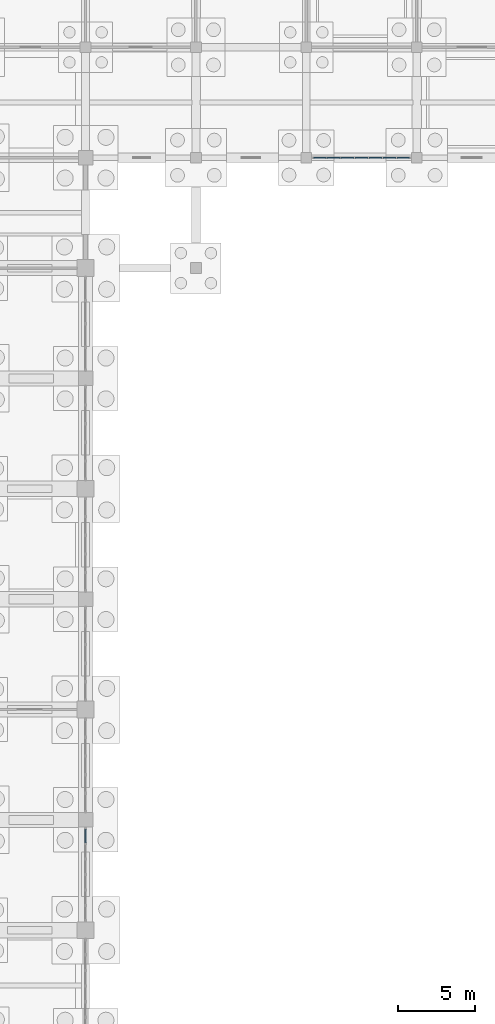
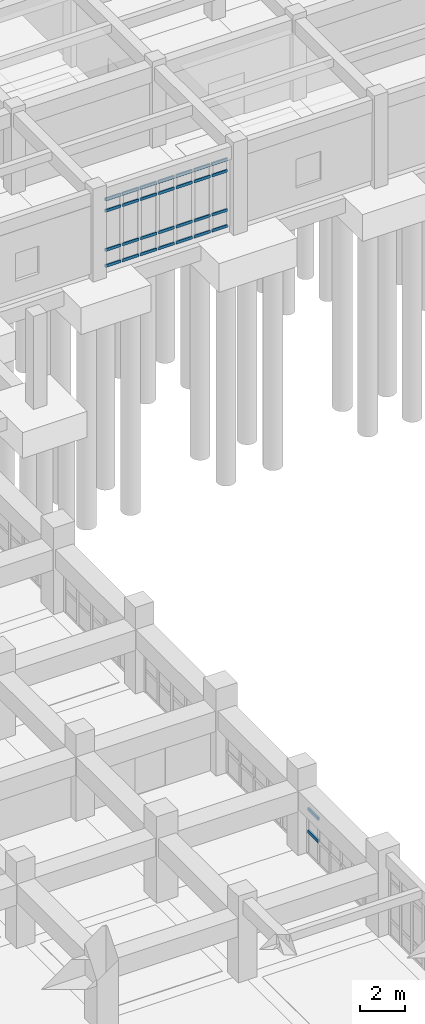
# One storey, part 42 of 79: 30 members, 2 elements without a shape of their own.
"""IFC4 building model written with IfcOpenShell, lengths in metres."""

from ifc_helpers import new_model, si_unit, direction, frame, origin, origin_2d, place, context, subcontext, project, spatial, rectangle, extrude, material, layer, layer_set, material_profile, profile_set, type_object, element, aggregate, save


model = new_model("IFC4")

# Units and contexts
model_context = context("Model", 3, precision=1e-05, world=origin(), true_north=direction((0.0, 1.0)))
body_context = subcontext(model_context, "Body", "Model", "MODEL_VIEW")
ifc_project = project(units=[si_unit("LENGTHUNIT", "METRE"), si_unit("AREAUNIT", "SQUARE_METRE"), si_unit("VOLUMEUNIT", "CUBIC_METRE"), si_unit("PLANEANGLEUNIT", "RADIAN"), si_unit("MASSUNIT", "GRAM", prefix="KILO")], contexts=[model_context])

# Site, building, storey
site_placement = place(None, origin())
site = spatial("IfcSite", under=ifc_project, at=site_placement, CompositionType="ELEMENT")
building_placement = place(site_placement, origin())
building = spatial("IfcBuilding", under=site, at=building_placement, Name="Kavelor Marine Aquarium", CompositionType="ELEMENT")
storey_placement = place(building_placement, origin())
storey = spatial("IfcBuildingStorey", under=building, at=storey_placement, Name="L00", CompositionType="ELEMENT", Elevation=0.0)

# Curtain wall, members
ifc_material_1 = material(Name="Thermally Broken Aluminium and Low-E Glass", Category="aluminium")
ifc_layer_1 = layer(ifc_material_1, 0.14794921875)
ifc_layer_set_1 = layer_set([ifc_layer_1], Name="CW-SYS1")
curtain_wall_type_1 = type_object("IfcCurtainWallType", Name="CW-SYS1", PredefinedType="USERDEFINED", material=ifc_layer_set_1)
curtain_wall_1_placement = place(storey_placement, origin())
curtain_wall_1 = element("IfcCurtainWall", 1, at=curtain_wall_1_placement, inside=storey, type_object=curtain_wall_type_1, Name="cw:x:L00:07_12", ObjectType="Curtain Wall", PredefinedType="USERDEFINED")
ifc_material_2 = material(Name="Anodised Aluminium Alloy 6063-T6", Category="aluminium")
ifc_material_profile_1 = material_profile(ifc_material_2, rectangle(XDim=0.074951171875, YDim=0.14990234375, at=origin_2d()), Name="CW-TRN 75x150")
ifc_profile_set_1 = profile_set([ifc_material_profile_1], Name="Anodised Aluminium Alloy 6063-T6")
member_type_1 = type_object("IfcMemberType", Name="CWT-1", PredefinedType="USERDEFINED", material=ifc_profile_set_1)
member_1_placement = place(storey_placement, frame((60.330078125, 89.199951171875, 0.03759765625), z_axis=(-1.0, 0.0, 0.0), x_axis=(0.0, -1.0, 0.0)))
member_1 = element("IfcMember", 2, at=member_1_placement, type_object=member_type_1, Name="CW01 transom 1.1", ObjectType="TRANSOM", PredefinedType="USERDEFINED", context=body_context, shape_type="SweptSolid", body=[
    extrude(rectangle(XDim=0.074951171875, YDim=0.14990234375, at=origin_2d()), origin(), (0.0, 0.0, 1.0), 0.80322265625),
])
member_2_placement = place(storey_placement, frame((60.330078125, 89.199951171875, 0.89990234375), z_axis=(-1.0, 0.0, 0.0), x_axis=(0.0, -1.0, 0.0)))
member_2 = element("IfcMember", 3, at=member_2_placement, type_object=member_type_1, Name="CW01 transom 1.2", ObjectType="TRANSOM", PredefinedType="USERDEFINED", context=body_context, shape_type="SweptSolid", body=[
    extrude(rectangle(XDim=0.074951171875, YDim=0.14990234375, at=origin_2d()), origin(), (0.0, 0.0, 1.0), 0.80322265625),
])
member_3_placement = place(storey_placement, frame((60.330078125, 89.199951171875, 3.02001953125), z_axis=(-1.0, 0.0, 0.0), x_axis=(0.0, -1.0, 0.0)))
member_3 = element("IfcMember", 4, at=member_3_placement, type_object=member_type_1, Name="CW01 transom 1.3", ObjectType="TRANSOM", PredefinedType="USERDEFINED", context=body_context, shape_type="SweptSolid", body=[
    extrude(rectangle(XDim=0.074951171875, YDim=0.14990234375, at=origin_2d()), origin(), (0.0, 0.0, 1.0), 0.80322265625),
])
member_4_placement = place(storey_placement, frame((60.330078125, 89.199951171875, 3.632568359375), z_axis=(-1.0, 0.0, 0.0), x_axis=(0.0, -1.0, 0.0)))
member_4 = element("IfcMember", 5, at=member_4_placement, type_object=member_type_1, Name="CW01 transom 1.4", ObjectType="TRANSOM", PredefinedType="USERDEFINED", context=body_context, shape_type="SweptSolid", body=[
    extrude(rectangle(XDim=0.074951171875, YDim=0.14990234375, at=origin_2d()), origin(), (0.0, 0.0, 1.0), 0.80322265625),
])
member_5_placement = place(storey_placement, frame((59.451904296875, 89.199951171875, 0.03759765625), z_axis=(-1.0, 0.0, 0.0), x_axis=(0.0, -1.0, 0.0)))
member_5 = element("IfcMember", 6, at=member_5_placement, type_object=member_type_1, Name="CW01 transom 2.1", ObjectType="TRANSOM", PredefinedType="USERDEFINED", context=body_context, shape_type="SweptSolid", body=[
    extrude(rectangle(XDim=0.074951171875, YDim=0.14990234375, at=origin_2d()), origin(), (0.0, 0.0, 1.0), 0.8408203125),
])
member_6_placement = place(storey_placement, frame((59.451904296875, 89.199951171875, 0.89990234375), z_axis=(-1.0, 0.0, 0.0), x_axis=(0.0, -1.0, 0.0)))
member_6 = element("IfcMember", 7, at=member_6_placement, type_object=member_type_1, Name="CW01 transom 2.2", ObjectType="TRANSOM", PredefinedType="USERDEFINED", context=body_context, shape_type="SweptSolid", body=[
    extrude(rectangle(XDim=0.074951171875, YDim=0.14990234375, at=origin_2d()), origin(), (0.0, 0.0, 1.0), 0.8408203125),
])
member_7_placement = place(storey_placement, frame((59.451904296875, 89.199951171875, 3.02001953125), z_axis=(-1.0, 0.0, 0.0), x_axis=(0.0, -1.0, 0.0)))
member_7 = element("IfcMember", 8, at=member_7_placement, type_object=member_type_1, Name="CW01 transom 2.3", ObjectType="TRANSOM", PredefinedType="USERDEFINED", context=body_context, shape_type="SweptSolid", body=[
    extrude(rectangle(XDim=0.074951171875, YDim=0.14990234375, at=origin_2d()), origin(), (0.0, 0.0, 1.0), 0.8408203125),
])
member_8_placement = place(storey_placement, frame((59.451904296875, 89.199951171875, 3.632568359375), z_axis=(-1.0, 0.0, 0.0), x_axis=(0.0, -1.0, 0.0)))
member_8 = element("IfcMember", 9, at=member_8_placement, type_object=member_type_1, Name="CW01 transom 2.4", ObjectType="TRANSOM", PredefinedType="USERDEFINED", context=body_context, shape_type="SweptSolid", body=[
    extrude(rectangle(XDim=0.074951171875, YDim=0.14990234375, at=origin_2d()), origin(), (0.0, 0.0, 1.0), 0.8408203125),
])
member_9_placement = place(storey_placement, frame((58.5361328125, 89.199951171875, 0.03759765625), z_axis=(-1.0, 0.0, 0.0), x_axis=(0.0, -1.0, 0.0)))
member_9 = element("IfcMember", 10, at=member_9_placement, type_object=member_type_1, Name="CW01 transom 3.1", ObjectType="TRANSOM", PredefinedType="USERDEFINED", context=body_context, shape_type="SweptSolid", body=[
    extrude(rectangle(XDim=0.074951171875, YDim=0.14990234375, at=origin_2d()), origin(), (0.0, 0.0, 1.0), 0.8408203125),
])
member_10_placement = place(storey_placement, frame((58.5361328125, 89.199951171875, 0.89990234375), z_axis=(-1.0, 0.0, 0.0), x_axis=(0.0, -1.0, 0.0)))
member_10 = element("IfcMember", 11, at=member_10_placement, type_object=member_type_1, Name="CW01 transom 3.2", ObjectType="TRANSOM", PredefinedType="USERDEFINED", context=body_context, shape_type="SweptSolid", body=[
    extrude(rectangle(XDim=0.074951171875, YDim=0.14990234375, at=origin_2d()), origin(), (0.0, 0.0, 1.0), 0.8408203125),
])
member_11_placement = place(storey_placement, frame((58.5361328125, 89.199951171875, 3.02001953125), z_axis=(-1.0, 0.0, 0.0), x_axis=(0.0, -1.0, 0.0)))
member_11 = element("IfcMember", 12, at=member_11_placement, type_object=member_type_1, Name="CW01 transom 3.3", ObjectType="TRANSOM", PredefinedType="USERDEFINED", context=body_context, shape_type="SweptSolid", body=[
    extrude(rectangle(XDim=0.074951171875, YDim=0.14990234375, at=origin_2d()), origin(), (0.0, 0.0, 1.0), 0.8408203125),
])
member_12_placement = place(storey_placement, frame((58.5361328125, 89.199951171875, 3.632568359375), z_axis=(-1.0, 0.0, 0.0), x_axis=(0.0, -1.0, 0.0)))
member_12 = element("IfcMember", 13, at=member_12_placement, type_object=member_type_1, Name="CW01 transom 3.4", ObjectType="TRANSOM", PredefinedType="USERDEFINED", context=body_context, shape_type="SweptSolid", body=[
    extrude(rectangle(XDim=0.074951171875, YDim=0.14990234375, at=origin_2d()), origin(), (0.0, 0.0, 1.0), 0.8408203125),
])
member_13_placement = place(storey_placement, frame((57.620361328125, 89.199951171875, 0.03759765625), z_axis=(-1.0, 0.0, 0.0), x_axis=(0.0, -1.0, 0.0)))
member_13 = element("IfcMember", 14, at=member_13_placement, type_object=member_type_1, Name="CW01 transom 4.1", ObjectType="TRANSOM", PredefinedType="USERDEFINED", context=body_context, shape_type="SweptSolid", body=[
    extrude(rectangle(XDim=0.074951171875, YDim=0.14990234375, at=origin_2d()), origin(), (0.0, 0.0, 1.0), 0.8408203125),
])
member_14_placement = place(storey_placement, frame((57.620361328125, 89.199951171875, 0.89990234375), z_axis=(-1.0, 0.0, 0.0), x_axis=(0.0, -1.0, 0.0)))
member_14 = element("IfcMember", 15, at=member_14_placement, type_object=member_type_1, Name="CW01 transom 4.2", ObjectType="TRANSOM", PredefinedType="USERDEFINED", context=body_context, shape_type="SweptSolid", body=[
    extrude(rectangle(XDim=0.074951171875, YDim=0.14990234375, at=origin_2d()), origin(), (0.0, 0.0, 1.0), 0.8408203125),
])
member_15_placement = place(storey_placement, frame((57.620361328125, 89.199951171875, 3.02001953125), z_axis=(-1.0, 0.0, 0.0), x_axis=(0.0, -1.0, 0.0)))
member_15 = element("IfcMember", 16, at=member_15_placement, type_object=member_type_1, Name="CW01 transom 4.3", ObjectType="TRANSOM", PredefinedType="USERDEFINED", context=body_context, shape_type="SweptSolid", body=[
    extrude(rectangle(XDim=0.074951171875, YDim=0.14990234375, at=origin_2d()), origin(), (0.0, 0.0, 1.0), 0.8408203125),
])
member_16_placement = place(storey_placement, frame((57.620361328125, 89.199951171875, 3.632568359375), z_axis=(-1.0, 0.0, 0.0), x_axis=(0.0, -1.0, 0.0)))
member_16 = element("IfcMember", 17, at=member_16_placement, type_object=member_type_1, Name="CW01 transom 4.4", ObjectType="TRANSOM", PredefinedType="USERDEFINED", context=body_context, shape_type="SweptSolid", body=[
    extrude(rectangle(XDim=0.074951171875, YDim=0.14990234375, at=origin_2d()), origin(), (0.0, 0.0, 1.0), 0.8408203125),
])
member_17_placement = place(storey_placement, frame((56.70458984375, 89.199951171875, 0.03759765625), z_axis=(-1.0, 0.0, 0.0), x_axis=(0.0, -1.0, 0.0)))
member_17 = element("IfcMember", 18, at=member_17_placement, type_object=member_type_1, Name="CW01 transom 5.1", ObjectType="TRANSOM", PredefinedType="USERDEFINED", context=body_context, shape_type="SweptSolid", body=[
    extrude(rectangle(XDim=0.074951171875, YDim=0.14990234375, at=origin_2d()), origin(), (0.0, 0.0, 1.0), 0.840576171875),
])
member_18_placement = place(storey_placement, frame((56.70458984375, 89.199951171875, 0.89990234375), z_axis=(-1.0, 0.0, 0.0), x_axis=(0.0, -1.0, 0.0)))
member_18 = element("IfcMember", 19, at=member_18_placement, type_object=member_type_1, Name="CW01 transom 5.2", ObjectType="TRANSOM", PredefinedType="USERDEFINED", context=body_context, shape_type="SweptSolid", body=[
    extrude(rectangle(XDim=0.074951171875, YDim=0.14990234375, at=origin_2d()), origin(), (0.0, 0.0, 1.0), 0.840576171875),
])
member_19_placement = place(storey_placement, frame((56.70458984375, 89.199951171875, 3.02001953125), z_axis=(-1.0, 0.0, 0.0), x_axis=(0.0, -1.0, 0.0)))
member_19 = element("IfcMember", 20, at=member_19_placement, type_object=member_type_1, Name="CW01 transom 5.3", ObjectType="TRANSOM", PredefinedType="USERDEFINED", context=body_context, shape_type="SweptSolid", body=[
    extrude(rectangle(XDim=0.074951171875, YDim=0.14990234375, at=origin_2d()), origin(), (0.0, 0.0, 1.0), 0.840576171875),
])
member_20_placement = place(storey_placement, frame((56.70458984375, 89.199951171875, 3.632568359375), z_axis=(-1.0, 0.0, 0.0), x_axis=(0.0, -1.0, 0.0)))
member_20 = element("IfcMember", 21, at=member_20_placement, type_object=member_type_1, Name="CW01 transom 5.4", ObjectType="TRANSOM", PredefinedType="USERDEFINED", context=body_context, shape_type="SweptSolid", body=[
    extrude(rectangle(XDim=0.074951171875, YDim=0.14990234375, at=origin_2d()), origin(), (0.0, 0.0, 1.0), 0.840576171875),
])
member_21_placement = place(storey_placement, frame((55.788818359375, 89.199951171875, 0.03759765625), z_axis=(-1.0, 0.0, 0.0), x_axis=(0.0, -1.0, 0.0)))
member_21 = element("IfcMember", 22, at=member_21_placement, type_object=member_type_1, Name="CW01 transom 6.1", ObjectType="TRANSOM", PredefinedType="USERDEFINED", context=body_context, shape_type="SweptSolid", body=[
    extrude(rectangle(XDim=0.074951171875, YDim=0.14990234375, at=origin_2d()), origin(), (0.0, 0.0, 1.0), 0.840576171875),
])
member_22_placement = place(storey_placement, frame((55.788818359375, 89.199951171875, 0.89990234375), z_axis=(-1.0, 0.0, 0.0), x_axis=(0.0, -1.0, 0.0)))
member_22 = element("IfcMember", 23, at=member_22_placement, type_object=member_type_1, Name="CW01 transom 6.2", ObjectType="TRANSOM", PredefinedType="USERDEFINED", context=body_context, shape_type="SweptSolid", body=[
    extrude(rectangle(XDim=0.074951171875, YDim=0.14990234375, at=origin_2d()), origin(), (0.0, 0.0, 1.0), 0.840576171875),
])
member_23_placement = place(storey_placement, frame((55.788818359375, 89.199951171875, 3.02001953125), z_axis=(-1.0, 0.0, 0.0), x_axis=(0.0, -1.0, 0.0)))
member_23 = element("IfcMember", 24, at=member_23_placement, type_object=member_type_1, Name="CW01 transom 6.3", ObjectType="TRANSOM", PredefinedType="USERDEFINED", context=body_context, shape_type="SweptSolid", body=[
    extrude(rectangle(XDim=0.074951171875, YDim=0.14990234375, at=origin_2d()), origin(), (0.0, 0.0, 1.0), 0.840576171875),
])
member_24_placement = place(storey_placement, frame((55.788818359375, 89.199951171875, 3.632568359375), z_axis=(-1.0, 0.0, 0.0), x_axis=(0.0, -1.0, 0.0)))
member_24 = element("IfcMember", 25, at=member_24_placement, type_object=member_type_1, Name="CW01 transom 6.4", ObjectType="TRANSOM", PredefinedType="USERDEFINED", context=body_context, shape_type="SweptSolid", body=[
    extrude(rectangle(XDim=0.074951171875, YDim=0.14990234375, at=origin_2d()), origin(), (0.0, 0.0, 1.0), 0.840576171875),
])
member_25_placement = place(storey_placement, frame((54.873291015625, 89.199951171875, 0.03759765625), z_axis=(-1.0, 0.0, 0.0), x_axis=(0.0, -1.0, 0.0)))
member_25 = element("IfcMember", 26, at=member_25_placement, type_object=member_type_1, Name="CW01 transom 7.1", ObjectType="TRANSOM", PredefinedType="USERDEFINED", context=body_context, shape_type="SweptSolid", body=[
    extrude(rectangle(XDim=0.074951171875, YDim=0.14990234375, at=origin_2d()), origin(), (0.0, 0.0, 1.0), 0.80322265625),
])
member_26_placement = place(storey_placement, frame((54.873291015625, 89.199951171875, 0.89990234375), z_axis=(-1.0, 0.0, 0.0), x_axis=(0.0, -1.0, 0.0)))
member_26 = element("IfcMember", 27, at=member_26_placement, type_object=member_type_1, Name="CW01 transom 7.2", ObjectType="TRANSOM", PredefinedType="USERDEFINED", context=body_context, shape_type="SweptSolid", body=[
    extrude(rectangle(XDim=0.074951171875, YDim=0.14990234375, at=origin_2d()), origin(), (0.0, 0.0, 1.0), 0.80322265625),
])
member_27_placement = place(storey_placement, frame((54.873291015625, 89.199951171875, 3.02001953125), z_axis=(-1.0, 0.0, 0.0), x_axis=(0.0, -1.0, 0.0)))
member_27 = element("IfcMember", 28, at=member_27_placement, type_object=member_type_1, Name="CW01 transom 7.3", ObjectType="TRANSOM", PredefinedType="USERDEFINED", context=body_context, shape_type="SweptSolid", body=[
    extrude(rectangle(XDim=0.074951171875, YDim=0.14990234375, at=origin_2d()), origin(), (0.0, 0.0, 1.0), 0.80322265625),
])
member_28_placement = place(storey_placement, frame((54.873291015625, 89.199951171875, 3.632568359375), z_axis=(-1.0, 0.0, 0.0), x_axis=(0.0, -1.0, 0.0)))
member_28 = element("IfcMember", 29, at=member_28_placement, type_object=member_type_1, Name="CW01 transom 7.4", ObjectType="TRANSOM", PredefinedType="USERDEFINED", context=body_context, shape_type="SweptSolid", body=[
    extrude(rectangle(XDim=0.074951171875, YDim=0.14990234375, at=origin_2d()), origin(), (0.0, 0.0, 1.0), 0.80322265625),
])
aggregate(curtain_wall_1, [member_1, member_2, member_3, member_4, member_5, member_6, member_7, member_8, member_9, member_10, member_11, member_12, member_13, member_14, member_15, member_16, member_17, member_18, member_19, member_20, member_21, member_22, member_23, member_24, member_25, member_26, member_27, member_28])

ifc_material_3 = material(Name="Thermally Broken Aluminium and Low-E Glass", Category="aluminium")
ifc_layer_2 = layer(ifc_material_3, 0.172119140625)
ifc_layer_set_2 = layer_set([ifc_layer_2], Name="CW-SYS4")
curtain_wall_type_2 = type_object("IfcCurtainWallType", Name="CW-SYS4", PredefinedType="USERDEFINED", material=ifc_layer_set_2)
curtain_wall_2_placement = place(storey_placement, origin())
curtain_wall_2 = element("IfcCurtainWall", 30, at=curtain_wall_2_placement, inside=storey, type_object=curtain_wall_type_2, Name="cw:y:L00:05_05", ObjectType="Curtain Wall", PredefinedType="USERDEFINED")
ifc_material_4 = material(Name="Anodised Aluminium Alloy 6063-T6", Category="aluminium")
ifc_material_profile_2 = material_profile(ifc_material_4, rectangle(XDim=0.0849609375, YDim=0.159912109375, at=origin_2d()), Name="CW-TRN 85x160")
ifc_profile_set_2 = profile_set([ifc_material_profile_2], Name="Anodised Aluminium Alloy 6063-T6")
member_type_2 = type_object("IfcMemberType", Name="CWT-3", PredefinedType="USERDEFINED", material=ifc_profile_set_2)
member_29_placement = place(storey_placement, frame((39.199951171875, 44.50341796875, 1.235107421875), z_axis=(0.0, 1.0, 0.0), x_axis=(-1.0, 0.0, 0.0)))
member_29 = element("IfcMember", 31, at=member_29_placement, type_object=member_type_2, Name="CW04 transom 6.2", ObjectType="TRANSOM", PredefinedType="USERDEFINED", context=body_context, shape_type="SweptSolid", body=[
    extrude(rectangle(XDim=0.0849609375, YDim=0.159912109375, at=origin_2d()), origin(), (0.0, 0.0, 1.0), 0.901611328125),
])
member_30_placement = place(storey_placement, frame((39.199951171875, 44.50341796875, 2.43994140625), z_axis=(0.0, 1.0, 0.0), x_axis=(-1.0, 0.0, 0.0)))
member_30 = element("IfcMember", 32, at=member_30_placement, type_object=member_type_2, Name="CW04 transom 6.3", ObjectType="TRANSOM", PredefinedType="USERDEFINED", context=body_context, shape_type="SweptSolid", body=[
    extrude(rectangle(XDim=0.0849609375, YDim=0.159912109375, at=origin_2d()), origin(), (0.0, 0.0, 1.0), 0.901611328125),
])
aggregate(curtain_wall_2, [member_29, member_30])

save(model, "model.ifc")
